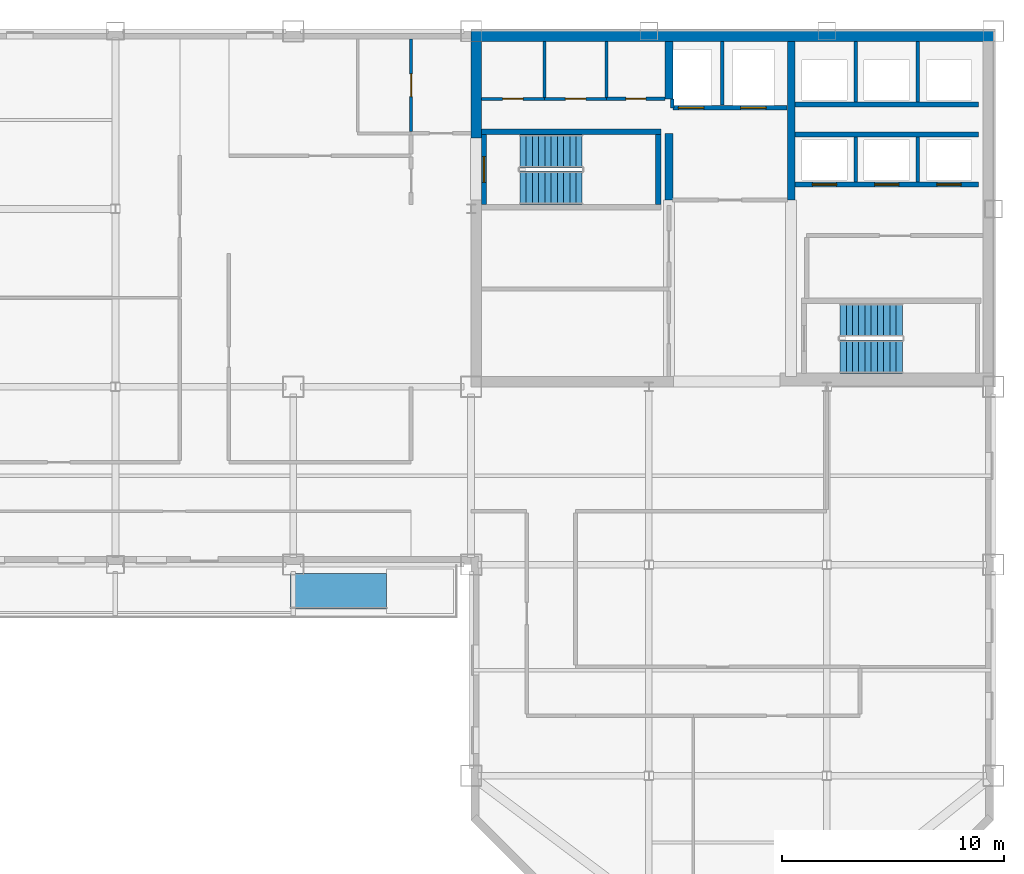
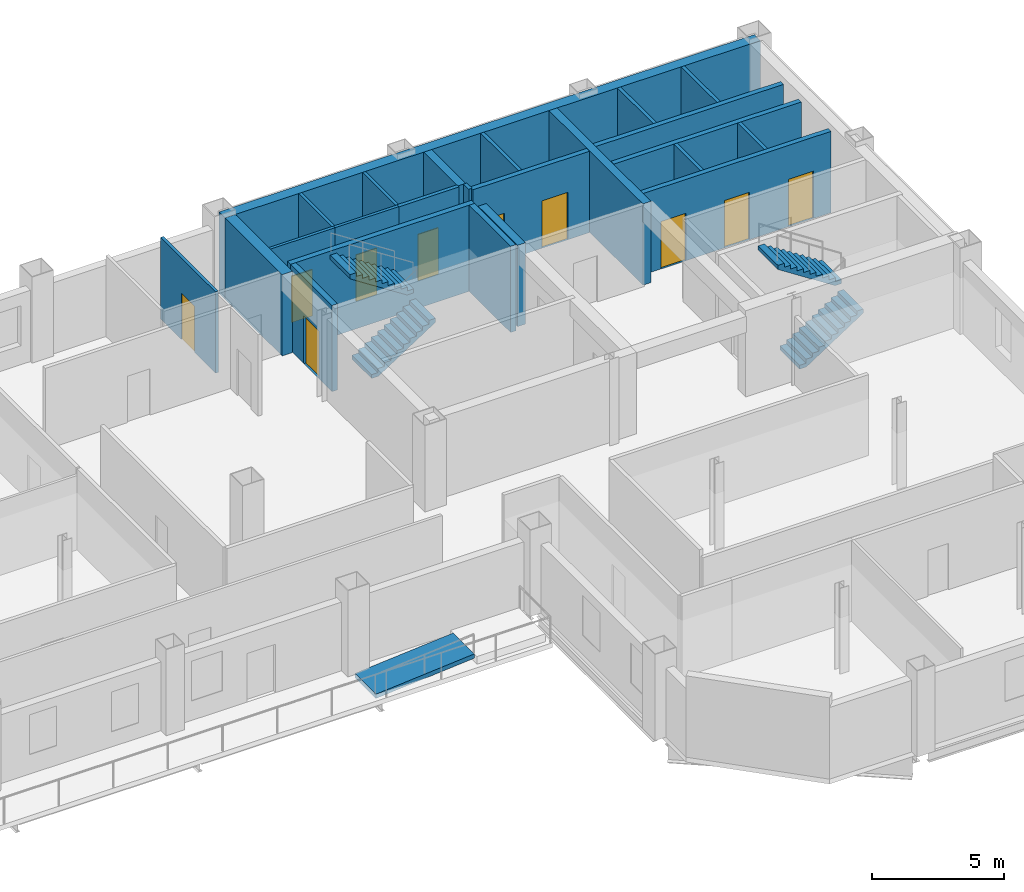
# One storey, part 6 of 10: 24 walls, 10 doors, 4 stair flights, 1 ramp flight, 10 openings, 3 elements without a shape of their own.
"""IFC4 building model written with IfcOpenShell, lengths in metres."""

from ifc_helpers import new_model, si_unit, direction, frame, frame_2d, origin, place, context, subcontext, project, spatial, polyline, rectangle, outline, extrude, material, layer, layer_set, type_object, element, fill, aggregate, save


model = new_model("IFC4")

# Units and contexts
model_context = context("Model", 3, precision=1e-05, world=origin(), true_north=direction((0.0, 1.0)))
body_context = subcontext(model_context, "Body", "Model", "MODEL_VIEW")
ifc_project = project(units=[si_unit("LENGTHUNIT", "METRE"), si_unit("AREAUNIT", "SQUARE_METRE"), si_unit("VOLUMEUNIT", "CUBIC_METRE"), si_unit("PLANEANGLEUNIT", "RADIAN"), si_unit("MASSUNIT", "GRAM", prefix="KILO")], contexts=[model_context])

# Site, building, storey
site_placement = place(None, origin())
site = spatial("IfcSite", under=ifc_project, at=site_placement, CompositionType="ELEMENT")
building_placement = place(site_placement, origin())
building = spatial("IfcBuilding", under=site, at=building_placement, Name="Qianrong Seaharbour Tower", CompositionType="ELEMENT")
storey_placement = place(building_placement, frame((0.0, 0.0, 237.800048828125)))
storey = spatial("IfcBuildingStorey", under=building, at=storey_placement, Name="L57", CompositionType="ELEMENT", Elevation=237.800048828125)

# Walls
ifc_material_1 = material(Name="Concrete C60/75", Category="concrete")
ifc_layer_1 = layer(ifc_material_1, 0.4599609375)
ifc_layer_set_1 = layer_set([ifc_layer_1], Name="Concrete C60/75")
wall_type_1 = type_object("IfcWallType", Name="WALL-CORE-460", PredefinedType="SHEAR", material=ifc_layer_set_1)
wall_1_placement = place(storey_placement, frame((40.5, 51.77001953125, 0.0), z_axis=(0.0, 0.0, 1.0), x_axis=(1.0, 0.0, 0.0)))
element("IfcWall", 1, at=wall_1_placement, inside=storey, type_object=wall_type_1, Name="L57 North Core Shear Wall", PredefinedType="SHEAR", context=body_context, shape_type="SweptSolid", body=[
    extrude(rectangle(XDim=23.5, YDim=0.4599609375, at=frame_2d((11.75, 0.0))), origin(), (0.0, 0.0, 1.0), 3.77490234375),
])
wall_2_placement = place(storey_placement, frame((40.72998046875, 47.199951171875, 0.0), z_axis=(0.0, 0.0, 1.0), x_axis=(0.0, 1.0, 0.0)))
element("IfcWall", 2, at=wall_2_placement, inside=storey, type_object=wall_type_1, Name="L57 West Core Shear Wall North", PredefinedType="SHEAR", context=body_context, shape_type="SweptSolid", body=[
    extrude(rectangle(XDim=4.340087890625, YDim=0.4599609375, at=frame_2d((2.169921875, 0.0))), origin(), (0.0, 0.0, 1.0), 3.77490234375),
])
ifc_material_2 = material(Name="Concrete C50/60", Category="concrete")
ifc_layer_2 = layer(ifc_material_2, 0.35009765625)
ifc_layer_set_2 = layer_set([ifc_layer_2], Name="Concrete C50/60")
wall_type_2 = type_object("IfcWallType", Name="WALL-CORE-INT-350", PredefinedType="SHEAR", material=ifc_layer_set_2)
wall_3_placement = place(storey_placement, frame((49.39990234375, 44.39990234375, 0.0), z_axis=(0.0, 0.0, 1.0), x_axis=(0.0, 1.0, 0.0)))
element("IfcWall", 3, at=wall_3_placement, inside=storey, type_object=wall_type_2, Name="L57 Internal Core Shear Wall IW1N1", PredefinedType="SHEAR", context=body_context, shape_type="SweptSolid", body=[
    extrude(rectangle(XDim=3.0, YDim=0.35009765625, at=frame_2d((1.5, 0.0))), origin(), (0.0, 0.0, 1.0), 3.77490234375),
])
wall_4_placement = place(storey_placement, frame((49.39990234375, 48.949951171875, 0.0), z_axis=(0.0, 0.0, 1.0), x_axis=(0.0, 1.0, 0.0)))
element("IfcWall", 4, at=wall_4_placement, inside=storey, type_object=wall_type_2, Name="L57 Internal Core Shear Wall IW1N2", PredefinedType="SHEAR", context=body_context, shape_type="SweptSolid", body=[
    extrude(rectangle(XDim=2.590087890625, YDim=0.35009765625, at=frame_2d((1.294921875, 0.0))), origin(), (0.0, 0.0, 1.0), 3.77490234375),
])
wall_5_placement = place(storey_placement, frame((54.89990234375, 44.39990234375, 0.0), z_axis=(0.0, 0.0, 1.0), x_axis=(0.0, 1.0, 0.0)))
element("IfcWall", 5, at=wall_5_placement, inside=storey, type_object=wall_type_2, Name="L57 Internal Core Shear Wall IW2N", PredefinedType="SHEAR", context=body_context, shape_type="SweptSolid", body=[
    extrude(rectangle(XDim=7.14013671875, YDim=0.35009765625, at=frame_2d((3.570068359375, 0.0))), origin(), (0.0, 0.0, 1.0), 3.77490234375),
])

# Wall, opening, door
ifc_material_3 = material(Name="Fire-rated acoustic gypsum board partition")
ifc_layer_3 = layer(ifc_material_3, 0.1650390625)
ifc_layer_set_3 = layer_set([ifc_layer_3], Name="Fire-rated acoustic gypsum board partition")
wall_type_3 = type_object("IfcWallType", Name="WALL-CORR-PART-165", PredefinedType="PARTITIONING", material=ifc_layer_set_3)
wall_6_placement = place(storey_placement, frame((46.60009765625, 48.949951171875, 0.0), z_axis=(0.0, 0.0, 1.0), x_axis=(1.0, 0.0, 0.0)))
wall_6 = element("IfcWall", 6, at=wall_6_placement, inside=storey, type_object=wall_type_3, Name="L57 Interior Partition Wall 009", PredefinedType="PARTITIONING", context=body_context, shape_type="SweptSolid", body=[
    extrude(rectangle(XDim=2.6328125, YDim=0.1650390625, at=frame_2d((1.31640625, 0.0))), origin(), (0.0, 0.0, 1.0), 3.77490234375),
])
opening_1_placement = place(wall_6_placement, frame((0.866455078125, 0.0, 0.0)))
opening_1 = element("IfcOpeningElement", 7, at=opening_1_placement, cuts=wall_6, Name="Opening DS-01", PredefinedType="OPENING", context=body_context, shape_type="SweptSolid", body=[
    extrude(rectangle(XDim=0.89990234375, YDim=2.14990234375, at=frame_2d((0.449951171875, 1.074951171875))), frame((0.0, 0.092529296875, 0.0), z_axis=(0.0, -1.0, 0.0), x_axis=(1.0, 0.0, 0.0)), (0.0, 0.0, 1.0), 0.18505859375),
])
ifc_material_4 = material(Name="Acoustic timber and galvanized steel fire door assembly", Category="steel")
door_type_1 = type_object("IfcDoorType", Name="DOOR-STORE-900x2150", OperationType="NOTDEFINED", PredefinedType="DOOR", material=ifc_material_4)
door_1_placement = place(opening_1_placement, origin())
door_1 = element("IfcDoor", 8, at=door_1_placement, inside=storey, type_object=door_type_1, Name="L57 Cleaner Store Room Door", OperationType="SINGLE_SWING_LEFT", OverallHeight=2.14990234375, OverallWidth=0.89990234375, PredefinedType="DOOR", context=body_context, shape_type="SweptSolid", body=[
    extrude(rectangle(XDim=0.89990234375, YDim=2.14990234375, at=frame_2d((0.449951171875, 1.074951171875))), frame((0.0, 0.02490234375, 0.0), z_axis=(0.0, -1.0, 0.0), x_axis=(1.0, 0.0, 0.0)), (0.0, 0.0, 1.0), 0.050048828125),
])
fill(opening_1, door_1)

# Walls
ifc_material_5 = material(Name="Fire-rated gypsum board on steel studs", Category="steel")
ifc_layer_4 = layer(ifc_material_5, 0.14990234375)
ifc_layer_set_4 = layer_set([ifc_layer_4], Name="Fire-rated gypsum board on steel studs")
wall_type_4 = type_object("IfcWallType", Name="WALL-SHAFT-DIV-150", PredefinedType="PARTITIONING", material=ifc_layer_set_4)
wall_7_placement = place(storey_placement, frame((51.800048828125, 48.669921875, 0.0), z_axis=(0.0, 0.0, 1.0), x_axis=(0.0, 1.0, 0.0)))
element("IfcWall", 9, at=wall_7_placement, inside=storey, type_object=wall_type_4, Name="L57 Firefighting Lift Shaft Divider Wall", PredefinedType="PARTITIONING", context=body_context, shape_type="SweptSolid", body=[
    extrude(rectangle(XDim=2.8701171875, YDim=0.14990234375, at=frame_2d((1.43505859375, 0.0))), origin(), (0.0, 0.0, 1.0), 3.77490234375),
])
wall_8_placement = place(storey_placement, frame((49.550048828125, 48.550048828125, 0.0), z_axis=(0.0, 0.0, 1.0), x_axis=(0.0, 1.0, 0.0)))
element("IfcWall", 10, at=wall_8_placement, inside=storey, type_object=wall_type_4, Name="L57 Firefighting Lift Shaft West Return Wall", PredefinedType="PARTITIONING", context=body_context, shape_type="SweptSolid", body=[
    extrude(rectangle(XDim=0.39990234375, YDim=0.14990234375, at=frame_2d((0.199951171875, 0.0))), origin(), (0.0, 0.0, 1.0), 3.77490234375),
])
for number, where, z_axis, x_axis, name in (
    (11, (57.800048828125, 45.2099609375, 0.0), (0.0, 0.0, 1.0), (0.0, 1.0, 0.0), "L57 P3 Lift Hoistway Divider 2"),
    (12, (60.60009765625, 45.2099609375, 0.0), (0.0, 0.0, 1.0), (0.0, 1.0, 0.0), "L57 P3 Lift Hoistway Divider 3"),
):
    element("IfcWall", number, at=place(storey_placement, frame(where, z_axis=z_axis, x_axis=x_axis)), inside=storey, type_object=wall_type_4, Name=name, PredefinedType="PARTITIONING", context=body_context, shape_type="SweptSolid", body=[
        extrude(rectangle(XDim=2.030029296875, YDim=0.14990234375, at=frame_2d((1.01513671875, 0.0))), origin(), (0.0, 0.0, 1.0), 3.77490234375),
    ])
for number, where, z_axis, x_axis, name in (
    (13, (57.800048828125, 48.81005859375, 0.0), (0.0, 0.0, 1.0), (0.0, 1.0, 0.0), "L57 P4 Lift Hoistway Divider 2"),
    (14, (60.60009765625, 48.81005859375, 0.0), (0.0, 0.0, 1.0), (0.0, 1.0, 0.0), "L57 P4 Lift Hoistway Divider 3"),
):
    element("IfcWall", number, at=place(storey_placement, frame(where, z_axis=z_axis, x_axis=x_axis)), inside=storey, type_object=wall_type_4, Name=name, PredefinedType="PARTITIONING", context=body_context, shape_type="SweptSolid", body=[
        extrude(rectangle(XDim=2.72998046875, YDim=0.14990234375, at=frame_2d((1.364990234375, 0.0))), origin(), (0.0, 0.0, 1.0), 3.77490234375),
    ])

# Wall, openings, doors
ifc_layer_5 = layer(ifc_material_5, 0.219970703125)
ifc_layer_set_5 = layer_set([ifc_layer_5], Name="Fire-rated gypsum board on steel studs")
wall_type_5 = type_object("IfcWallType", Name="WALL-SHAFT-GYP220", PredefinedType="PARTITIONING", material=ifc_layer_set_5)
wall_9_placement = place(storey_placement, frame((54.7099609375, 48.550048828125, 0.0), z_axis=(0.0, 0.0, 1.0), x_axis=(-1.0, 0.0, 0.0)))
wall_9 = element("IfcWall", 15, at=wall_9_placement, inside=storey, type_object=wall_type_5, Name="L57 Firefighting Lift Shaft Front Wall", PredefinedType="PARTITIONING", context=body_context, shape_type="SweptSolid", body=[
    extrude(rectangle(XDim=5.119873046875, YDim=0.219970703125, at=frame_2d((2.56005859375, 0.0))), origin(), (0.0, 0.0, 1.0), 3.77490234375),
])
opening_2_placement = place(wall_9_placement, frame((3.735107421875, 0.0, 0.0)))
opening_2 = element("IfcOpeningElement", 16, at=opening_2_placement, cuts=wall_9, Name="Opening LD-01", PredefinedType="OPENING", context=body_context, shape_type="SweptSolid", body=[
    extrude(rectangle(XDim=1.14990234375, YDim=2.199951171875, at=frame_2d((0.574951171875, 1.10009765625))), frame((0.0, 0.1201171875, 0.0), z_axis=(0.0, -1.0, 0.0), x_axis=(1.0, 0.0, 0.0)), (0.0, 0.0, 1.0), 0.239990234375),
])
opening_3_placement = place(wall_9_placement, frame((0.93505859375, 0.0, 0.0)))
opening_3 = element("IfcOpeningElement", 17, at=opening_3_placement, cuts=wall_9, Name="Opening LD-01", PredefinedType="OPENING", context=body_context, shape_type="SweptSolid", body=[
    extrude(rectangle(XDim=1.14990234375, YDim=2.199951171875, at=frame_2d((0.574951171875, 1.10009765625))), frame((0.0, 0.1201171875, 0.0), z_axis=(0.0, -1.0, 0.0), x_axis=(1.0, 0.0, 0.0)), (0.0, 0.0, 1.0), 0.239990234375),
])
ifc_material_6 = material(Name="Stainless steel SUS316L bi-parting lift landing door", Category="steel")
door_type_2 = type_object("IfcDoorType", Name="DOOR-LIFT-FF-1150x2200", OperationType="DOUBLE_DOOR_SLIDING", PredefinedType="DOOR", material=ifc_material_6)
door_2_placement = place(opening_2_placement, origin())
door_2 = element("IfcDoor", 18, at=door_2_placement, inside=storey, type_object=door_type_2, Name="L57 FL-1 Firefighting Lift Landing Door", OperationType="DOUBLE_DOOR_SLIDING", OverallHeight=2.199951171875, OverallWidth=1.14990234375, PredefinedType="DOOR", context=body_context, shape_type="SweptSolid", body=[
    extrude(rectangle(XDim=1.14990234375, YDim=2.199951171875, at=frame_2d((0.574951171875, 1.10009765625))), frame((0.0, 0.02490234375, 0.0), z_axis=(0.0, -1.0, 0.0), x_axis=(1.0, 0.0, 0.0)), (0.0, 0.0, 1.0), 0.050048828125),
])
fill(opening_2, door_2)
door_3_placement = place(opening_3_placement, origin())
door_3 = element("IfcDoor", 19, at=door_3_placement, inside=storey, type_object=door_type_2, Name="L57 FL-2 Firefighting Lift Landing Door", OperationType="DOUBLE_DOOR_SLIDING", OverallHeight=2.199951171875, OverallWidth=1.14990234375, PredefinedType="DOOR", context=body_context, shape_type="SweptSolid", body=[
    extrude(rectangle(XDim=1.14990234375, YDim=2.199951171875, at=frame_2d((0.574951171875, 1.10009765625))), frame((0.0, 0.02490234375, 0.0), z_axis=(0.0, -1.0, 0.0), x_axis=(1.0, 0.0, 0.0)), (0.0, 0.0, 1.0), 0.050048828125),
])
fill(opening_3, door_3)

wall_10_placement = place(storey_placement, frame((63.320068359375, 45.10009765625, 0.0), z_axis=(0.0, 0.0, 1.0), x_axis=(-1.0, 0.0, 0.0)))
wall_10 = element("IfcWall", 20, at=wall_10_placement, inside=storey, type_object=wall_type_5, Name="L57 P3 Lift Hoistway Front Wall", PredefinedType="PARTITIONING", context=body_context, shape_type="SweptSolid", body=[
    extrude(rectangle(XDim=8.239990234375, YDim=0.219970703125, at=frame_2d((4.1201171875, 0.0))), origin(), (0.0, 0.0, 1.0), 3.77490234375),
])
opening_4_placement = place(wall_10_placement, frame((6.3701171875, 0.0, 0.0)))
opening_4 = element("IfcOpeningElement", 21, at=opening_4_placement, cuts=wall_10, Name="Opening LD-02", PredefinedType="OPENING", context=body_context, shape_type="SweptSolid", body=[
    extrude(rectangle(XDim=1.10009765625, YDim=2.199951171875, at=frame_2d((0.550048828125, 1.10009765625))), frame((0.0, 0.1201171875, 0.0), z_axis=(0.0, -1.0, 0.0), x_axis=(1.0, 0.0, 0.0)), (0.0, 0.0, 1.0), 0.239990234375),
])
opening_5_placement = place(wall_10_placement, frame((3.570068359375, 0.0, 0.0)))
opening_5 = element("IfcOpeningElement", 22, at=opening_5_placement, cuts=wall_10, Name="Opening LD-02", PredefinedType="OPENING", context=body_context, shape_type="SweptSolid", body=[
    extrude(rectangle(XDim=1.10009765625, YDim=2.199951171875, at=frame_2d((0.550048828125, 1.10009765625))), frame((0.0, 0.1201171875, 0.0), z_axis=(0.0, -1.0, 0.0), x_axis=(1.0, 0.0, 0.0)), (0.0, 0.0, 1.0), 0.239990234375),
])
opening_6_placement = place(wall_10_placement, frame((0.77001953125, 0.0, 0.0)))
opening_6 = element("IfcOpeningElement", 23, at=opening_6_placement, cuts=wall_10, Name="Opening LD-02", PredefinedType="OPENING", context=body_context, shape_type="SweptSolid", body=[
    extrude(rectangle(XDim=1.10009765625, YDim=2.199951171875, at=frame_2d((0.550048828125, 1.10009765625))), frame((0.0, 0.1201171875, 0.0), z_axis=(0.0, -1.0, 0.0), x_axis=(1.0, 0.0, 0.0)), (0.0, 0.0, 1.0), 0.239990234375),
])
door_type_3 = type_object("IfcDoorType", Name="DOOR-LIFT-PASS-1100x2200", OperationType="DOUBLE_DOOR_SLIDING", PredefinedType="DOOR", material=ifc_material_6)
door_4_placement = place(opening_4_placement, origin())
door_4 = element("IfcDoor", 24, at=door_4_placement, inside=storey, type_object=door_type_3, Name="L57 PL-3A Lift Landing Door", OperationType="DOUBLE_DOOR_SLIDING", OverallHeight=2.199951171875, OverallWidth=1.10009765625, PredefinedType="DOOR", context=body_context, shape_type="SweptSolid", body=[
    extrude(rectangle(XDim=1.10009765625, YDim=2.199951171875, at=frame_2d((0.550048828125, 1.10009765625))), frame((0.0, 0.02490234375, 0.0), z_axis=(0.0, -1.0, 0.0), x_axis=(1.0, 0.0, 0.0)), (0.0, 0.0, 1.0), 0.050048828125),
])
fill(opening_4, door_4)
door_5_placement = place(opening_5_placement, origin())
door_5 = element("IfcDoor", 25, at=door_5_placement, inside=storey, type_object=door_type_3, Name="L57 PL-3B Lift Landing Door", OperationType="DOUBLE_DOOR_SLIDING", OverallHeight=2.199951171875, OverallWidth=1.10009765625, PredefinedType="DOOR", context=body_context, shape_type="SweptSolid", body=[
    extrude(rectangle(XDim=1.10009765625, YDim=2.199951171875, at=frame_2d((0.550048828125, 1.10009765625))), frame((0.0, 0.02490234375, 0.0), z_axis=(0.0, -1.0, 0.0), x_axis=(1.0, 0.0, 0.0)), (0.0, 0.0, 1.0), 0.050048828125),
])
fill(opening_5, door_5)
door_6_placement = place(opening_6_placement, origin())
door_6 = element("IfcDoor", 26, at=door_6_placement, inside=storey, type_object=door_type_3, Name="L57 PL-3C Lift Landing Door", OperationType="DOUBLE_DOOR_SLIDING", OverallHeight=2.199951171875, OverallWidth=1.10009765625, PredefinedType="DOOR", context=body_context, shape_type="SweptSolid", body=[
    extrude(rectangle(XDim=1.10009765625, YDim=2.199951171875, at=frame_2d((0.550048828125, 1.10009765625))), frame((0.0, 0.02490234375, 0.0), z_axis=(0.0, -1.0, 0.0), x_axis=(1.0, 0.0, 0.0)), (0.0, 0.0, 1.0), 0.050048828125),
])
fill(opening_6, door_6)

# Walls
for number, where, z_axis, x_axis, name in (
    (27, (55.080078125, 47.35009765625, 0.0), (0.0, 0.0, 1.0), (1.0, 0.0, 0.0), "L57 P3 Lift Hoistway Back Wall"),
    (28, (63.320068359375, 48.699951171875, 0.0), (0.0, 0.0, 1.0), (-1.0, 0.0, 0.0), "L57 P4 Lift Hoistway Front Wall"),
):
    element("IfcWall", number, at=place(storey_placement, frame(where, z_axis=z_axis, x_axis=x_axis)), inside=storey, type_object=wall_type_5, Name=name, PredefinedType="PARTITIONING", context=body_context, shape_type="SweptSolid", body=[
        extrude(rectangle(XDim=8.239990234375, YDim=0.219970703125, at=frame_2d((4.1201171875, 0.0))), origin(), (0.0, 0.0, 1.0), 3.77490234375),
    ])
ifc_layer_6 = layer(ifc_material_2, 0.239990234375)
ifc_layer_set_6 = layer_set([ifc_layer_6], Name="Concrete C50/60")
wall_type_6 = type_object("IfcWallType", Name="WALL-SHAFT-RC240", PredefinedType="SOLIDWALL", material=ifc_layer_set_6)
wall_11_placement = place(storey_placement, frame((40.9599609375, 47.469970703125, 0.0), z_axis=(0.0, 0.0, 1.0), x_axis=(1.0, 0.0, 0.0)))
element("IfcWall", 29, at=wall_11_placement, inside=storey, type_object=wall_type_6, Name="L57 ST-1 Structural Stair Core Wall N", PredefinedType="SOLIDWALL", context=body_context, shape_type="SweptSolid", body=[
    extrude(rectangle(XDim=8.080078125, YDim=0.239990234375, at=frame_2d((4.0400390625, 0.0))), origin(), (0.0, 0.0, 1.0), 4.0),
])

# Wall, opening, door
wall_12_placement = place(storey_placement, frame((41.080078125, 47.35009765625, 0.0), z_axis=(0.0, 0.0, 1.0), x_axis=(0.0, -1.0, 0.0)))
wall_12 = element("IfcWall", 30, at=wall_12_placement, inside=storey, type_object=wall_type_6, Name="L57 ST-1 Structural Stair Core Wall W", PredefinedType="SOLIDWALL", context=body_context, shape_type="SweptSolid", body=[
    extrude(rectangle(XDim=3.150146484375, YDim=0.239990234375, at=frame_2d((1.5751953125, 0.0))), origin(), (0.0, 0.0, 1.0), 4.0),
])
opening_7_placement = place(wall_12_placement, frame((1.0, 0.0, 0.0)))
opening_7 = element("IfcOpeningElement", 31, at=opening_7_placement, cuts=wall_12, Name="Opening SD-01", PredefinedType="OPENING", context=body_context, shape_type="SweptSolid", body=[
    extrude(rectangle(XDim=1.14990234375, YDim=2.199951171875, at=frame_2d((0.574951171875, 1.10009765625))), frame((0.0, 0.1298828125, 0.0), z_axis=(0.0, -1.0, 0.0), x_axis=(1.0, 0.0, 0.0)), (0.0, 0.0, 1.0), 0.260009765625),
])
door_type_4 = type_object("IfcDoorType", Name="DOOR-STAIR-FD60-1150x2200", OperationType="NOTDEFINED", PredefinedType="DOOR", material=ifc_material_4)
door_7_placement = place(opening_7_placement, origin())
door_7 = element("IfcDoor", 32, at=door_7_placement, inside=storey, type_object=door_type_4, Name="L57 ST-1 Protected Stair Door", OperationType="SINGLE_SWING_RIGHT", OverallHeight=2.199951171875, OverallWidth=1.14990234375, PredefinedType="DOOR", context=body_context, shape_type="SweptSolid", body=[
    extrude(rectangle(XDim=1.14990234375, YDim=2.199951171875, at=frame_2d((0.574951171875, 1.10009765625))), frame((0.0, 0.02490234375, 0.0), z_axis=(0.0, -1.0, 0.0), x_axis=(1.0, 0.0, 0.0)), (0.0, 0.0, 1.0), 0.050048828125),
])
fill(opening_7, door_7)

# Wall
wall_13_placement = place(storey_placement, frame((48.919921875, 44.199951171875, 0.0), z_axis=(0.0, 0.0, 1.0), x_axis=(0.0, 1.0, 0.0)))
element("IfcWall", 33, at=wall_13_placement, inside=storey, type_object=wall_type_6, Name="L57 ST-1 Structural Stair Core Wall E", PredefinedType="SOLIDWALL", context=body_context, shape_type="SweptSolid", body=[
    extrude(rectangle(XDim=3.150146484375, YDim=0.239990234375, at=frame_2d((1.5751953125, 0.0))), origin(), (0.0, 0.0, 1.0), 4.0),
])

# Wall, opening, door
ifc_material_7 = material(Name="Water-resistant cement board sanitary partition")
ifc_layer_7 = layer(ifc_material_7, 0.1298828125)
ifc_layer_set_7 = layer_set([ifc_layer_7], Name="Water-resistant cement board sanitary partition")
wall_type_7 = type_object("IfcWallType", Name="WALL-WET-PART-130", PredefinedType="PARTITIONING", material=ifc_layer_set_7)
wall_14_placement = place(storey_placement, frame((37.800048828125, 47.474609375, 0.0), z_axis=(0.0, 0.0, 1.0), x_axis=(0.0, 1.0, 0.0)))
wall_14 = element("IfcWall", 34, at=wall_14_placement, inside=storey, type_object=wall_type_7, Name="L57 Interior Partition Wall 004", PredefinedType="PARTITIONING", context=body_context, shape_type="SweptSolid", body=[
    extrude(rectangle(XDim=4.17333984375, YDim=0.1298828125, at=frame_2d((2.086669921875, 0.0))), origin(), (0.0, 0.0, 1.0), 3.77490234375),
])
opening_8_placement = place(wall_14_placement, frame((1.57666015625, 0.0, 0.0)))
opening_8 = element("IfcOpeningElement", 35, at=opening_8_placement, cuts=wall_14, Name="Opening DAW-01", PredefinedType="OPENING", context=body_context, shape_type="SweptSolid", body=[
    extrude(rectangle(XDim=1.02001953125, YDim=2.14990234375, at=frame_2d((0.510009765625, 1.074951171875))), frame((0.0, 0.074951171875, 0.0), z_axis=(0.0, -1.0, 0.0), x_axis=(1.0, 0.0, 0.0)), (0.0, 0.0, 1.0), 0.14990234375),
])
door_type_5 = type_object("IfcDoorType", Name="DOOR-AWC-SLIDE-1020x2150", OperationType="SLIDING_TO_LEFT", PredefinedType="DOOR", material=ifc_material_4)
door_8_placement = place(opening_8_placement, origin())
door_8 = element("IfcDoor", 36, at=door_8_placement, inside=storey, type_object=door_type_5, Name="L57 Accessible Restroom WC Door", OperationType="SLIDING_TO_LEFT", OverallHeight=2.14990234375, OverallWidth=1.02001953125, PredefinedType="DOOR", context=body_context, shape_type="SweptSolid", body=[
    extrude(rectangle(XDim=1.02001953125, YDim=2.14990234375, at=frame_2d((0.510009765625, 1.074951171875))), frame((0.0, 0.02490234375, 0.0), z_axis=(0.0, -1.0, 0.0), x_axis=(1.0, 0.0, 0.0)), (0.0, 0.0, 1.0), 0.050048828125),
])
fill(opening_8, door_8)

wall_15_placement = place(storey_placement, frame((40.9599609375, 48.949951171875, 0.0), z_axis=(0.0, 0.0, 1.0), x_axis=(1.0, 0.0, 0.0)))
wall_15 = element("IfcWall", 37, at=wall_15_placement, inside=storey, type_object=wall_type_7, Name="L57 Interior Partition Wall 007", PredefinedType="PARTITIONING", context=body_context, shape_type="SweptSolid", body=[
    extrude(rectangle(XDim=2.840087890625, YDim=0.1298828125, at=frame_2d((1.419921875, 0.0))), origin(), (0.0, 0.0, 1.0), 3.77490234375),
])
opening_9_placement = place(wall_15_placement, frame((0.9599609375, 0.0, 0.0)))
opening_9 = element("IfcOpeningElement", 38, at=opening_9_placement, cuts=wall_15, Name="Opening DW-01", PredefinedType="OPENING", context=body_context, shape_type="SweptSolid", body=[
    extrude(rectangle(XDim=0.919921875, YDim=2.14990234375, at=frame_2d((0.4599609375, 1.074951171875))), frame((0.0, 0.074951171875, 0.0), z_axis=(0.0, -1.0, 0.0), x_axis=(1.0, 0.0, 0.0)), (0.0, 0.0, 1.0), 0.14990234375),
])
door_type_6 = type_object("IfcDoorType", Name="DOOR-WC-920x2150", OperationType="NOTDEFINED", PredefinedType="DOOR", material=ifc_material_4)
door_9_placement = place(opening_9_placement, origin())
door_9 = element("IfcDoor", 39, at=door_9_placement, inside=storey, type_object=door_type_6, Name="L57 Male Restroom WC Door", OperationType="SINGLE_SWING_LEFT", OverallHeight=2.14990234375, OverallWidth=0.919921875, PredefinedType="DOOR", context=body_context, shape_type="SweptSolid", body=[
    extrude(rectangle(XDim=0.919921875, YDim=2.14990234375, at=frame_2d((0.4599609375, 1.074951171875))), frame((0.0, 0.02490234375, 0.0), z_axis=(0.0, -1.0, 0.0), x_axis=(1.0, 0.0, 0.0)), (0.0, 0.0, 1.0), 0.050048828125),
])
fill(opening_9, door_9)

wall_16_placement = place(storey_placement, frame((43.800048828125, 48.949951171875, 0.0), z_axis=(0.0, 0.0, 1.0), x_axis=(1.0, 0.0, 0.0)))
wall_16 = element("IfcWall", 40, at=wall_16_placement, inside=storey, type_object=wall_type_7, Name="L57 Interior Partition Wall 008", PredefinedType="PARTITIONING", context=body_context, shape_type="SweptSolid", body=[
    extrude(rectangle(XDim=2.800048828125, YDim=0.1298828125, at=frame_2d((1.39990234375, 0.0))), origin(), (0.0, 0.0, 1.0), 3.77490234375),
])
opening_10_placement = place(wall_16_placement, frame((0.93994140625, 0.0, 0.0)))
opening_10 = element("IfcOpeningElement", 41, at=opening_10_placement, cuts=wall_16, Name="Opening DW-01", PredefinedType="OPENING", context=body_context, shape_type="SweptSolid", body=[
    extrude(rectangle(XDim=0.919921875, YDim=2.14990234375, at=frame_2d((0.4599609375, 1.074951171875))), frame((0.0, 0.074951171875, 0.0), z_axis=(0.0, -1.0, 0.0), x_axis=(1.0, 0.0, 0.0)), (0.0, 0.0, 1.0), 0.14990234375),
])
door_10_placement = place(opening_10_placement, origin())
door_10 = element("IfcDoor", 42, at=door_10_placement, inside=storey, type_object=door_type_6, Name="L57 Female Restroom WC Door", OperationType="SINGLE_SWING_RIGHT", OverallHeight=2.14990234375, OverallWidth=0.919921875, PredefinedType="DOOR", context=body_context, shape_type="SweptSolid", body=[
    extrude(rectangle(XDim=0.919921875, YDim=2.14990234375, at=frame_2d((0.4599609375, 1.074951171875))), frame((0.0, 0.02490234375, 0.0), z_axis=(0.0, -1.0, 0.0), x_axis=(1.0, 0.0, 0.0)), (0.0, 0.0, 1.0), 0.050048828125),
])
fill(opening_10, door_10)

# Walls
wall_17_placement = place(storey_placement, frame((43.800048828125, 51.5400390625, 0.0), z_axis=(0.0, 0.0, 1.0), x_axis=(0.0, -1.0, 0.0)))
element("IfcWall", 43, at=wall_17_placement, inside=storey, type_object=wall_type_7, Name="L57 Interior Partition Wall 016", PredefinedType="PARTITIONING", context=body_context, shape_type="SweptSolid", body=[
    extrude(rectangle(XDim=2.532958984375, YDim=0.1298828125, at=frame_2d((1.2666015625, 0.0))), origin(), (0.0, 0.0, 1.0), 3.77490234375),
])
wall_18_placement = place(storey_placement, frame((46.60009765625, 51.5400390625, 0.0), z_axis=(0.0, 0.0, 1.0), x_axis=(0.0, -1.0, 0.0)))
element("IfcWall", 44, at=wall_18_placement, inside=storey, type_object=wall_type_7, Name="L57 Interior Partition Wall 017", PredefinedType="PARTITIONING", context=body_context, shape_type="SweptSolid", body=[
    extrude(rectangle(XDim=2.515625, YDim=0.1298828125, at=frame_2d((1.2578125, 0.0))), origin(), (0.0, 0.0, 1.0), 3.77490234375),
])

# Stair, stair flights
stair_type = type_object("IfcStairType", Name="STAIR-DOGLEG-1500-R22", PredefinedType="HALF_TURN_STAIR", material=ifc_material_2)
stair_1_placement = place(storey_placement, origin())
stair_1 = element("IfcStair", 45, at=stair_1_placement, inside=storey, type_object=stair_type, Name="L57 Protected Escape Stair ST-1", PredefinedType="HALF_TURN_STAIR")
stair_flight_type = type_object("IfcStairFlightType", Name="FLIGHT-STR-1500-R22", PredefinedType="STRAIGHT", material=ifc_material_2)
stair_flight_1_placement = place(storey_placement, frame((42.699951171875, 44.949951171875, 0.0), z_axis=(0.0, 0.0, 1.0), x_axis=(1.0, 0.0, 0.0)))
stair_flight_1 = element("IfcStairFlight", 46, at=stair_flight_1_placement, type_object=stair_flight_type, Name="ST-1 flight 1", NumberOfRisers=11, NumberOfTreads=10, PredefinedType="STRAIGHT", RiserHeight=0.181818182, TreadLength=0.28, context=body_context, shape_type="SweptSolid", body=[
    extrude(outline(polyline([(0.0, 0.0), (0.0, 0.181884765625), (0.280029296875, 0.181884765625), (0.280029296875, 0.363525390625), (0.56005859375, 0.363525390625), (0.56005859375, 0.54541015625), (0.840087890625, 0.54541015625), (0.840087890625, 0.727294921875), (1.1201171875, 0.727294921875), (1.1201171875, 0.9091796875), (1.39990234375, 0.9091796875), (1.39990234375, 1.0908203125), (1.679931640625, 1.0908203125), (1.679931640625, 1.272705078125), (1.9599609375, 1.272705078125), (1.9599609375, 1.45458984375), (2.239990234375, 1.45458984375), (2.239990234375, 1.636474609375), (2.52001953125, 1.636474609375), (2.52001953125, 1.818115234375), (2.800048828125, 1.818115234375), (2.800048828125, 2.0), (2.800048828125, 1.62744140625), (0.293701171875, 0.0), (0.0, 0.0)])), frame((0.0, 0.75, 0.0), z_axis=(0.0, -1.0, 0.0), x_axis=(1.0, 0.0, 0.0)), (0.0, 0.0, 1.0), 1.5),
])
stair_flight_2_placement = place(storey_placement, frame((45.5, 46.60009765625, 2.0), z_axis=(0.0, 0.0, 1.0), x_axis=(-1.0, 0.0, 0.0)))
stair_flight_2 = element("IfcStairFlight", 47, at=stair_flight_2_placement, type_object=stair_flight_type, Name="ST-1 flight 2", NumberOfRisers=11, NumberOfTreads=10, PredefinedType="STRAIGHT", RiserHeight=0.181818182, TreadLength=0.28, context=body_context, shape_type="SweptSolid", body=[
    extrude(outline(polyline([(0.0, 0.0), (0.0, 0.181884765625), (0.280029296875, 0.181884765625), (0.280029296875, 0.363525390625), (0.56005859375, 0.363525390625), (0.56005859375, 0.54541015625), (0.840087890625, 0.54541015625), (0.840087890625, 0.727294921875), (1.1201171875, 0.727294921875), (1.1201171875, 0.9091796875), (1.39990234375, 0.9091796875), (1.39990234375, 1.0908203125), (1.679931640625, 1.0908203125), (1.679931640625, 1.272705078125), (1.9599609375, 1.272705078125), (1.9599609375, 1.45458984375), (2.239990234375, 1.45458984375), (2.239990234375, 1.636474609375), (2.52001953125, 1.636474609375), (2.52001953125, 1.818115234375), (2.800048828125, 1.818115234375), (2.800048828125, 2.0), (2.800048828125, 1.62744140625), (0.293701171875, 0.0), (0.0, 0.0)])), frame((0.0, 0.75, 0.0), z_axis=(0.0, -1.0, 0.0), x_axis=(1.0, 0.0, 0.0)), (0.0, 0.0, 1.0), 1.5),
])
aggregate(stair_1, [stair_flight_1, stair_flight_2])

stair_2_placement = place(storey_placement, origin())
stair_2 = element("IfcStair", 48, at=stair_2_placement, inside=storey, type_object=stair_type, Name="L57 Protected Escape Stair ST-2", PredefinedType="HALF_TURN_STAIR")
stair_flight_3_placement = place(storey_placement, frame((57.10009765625, 37.35009765625, 0.0), z_axis=(0.0, 0.0, 1.0), x_axis=(1.0, 0.0, 0.0)))
stair_flight_3 = element("IfcStairFlight", 49, at=stair_flight_3_placement, type_object=stair_flight_type, Name="ST-2 flight 1", NumberOfRisers=11, NumberOfTreads=10, PredefinedType="STRAIGHT", RiserHeight=0.181818182, TreadLength=0.28, context=body_context, shape_type="SweptSolid", body=[
    extrude(outline(polyline([(0.0, 0.0), (0.0, 0.181884765625), (0.280029296875, 0.181884765625), (0.280029296875, 0.363525390625), (0.56005859375, 0.363525390625), (0.56005859375, 0.54541015625), (0.840087890625, 0.54541015625), (0.840087890625, 0.727294921875), (1.1201171875, 0.727294921875), (1.1201171875, 0.9091796875), (1.39990234375, 0.9091796875), (1.39990234375, 1.0908203125), (1.679931640625, 1.0908203125), (1.679931640625, 1.272705078125), (1.9599609375, 1.272705078125), (1.9599609375, 1.45458984375), (2.239990234375, 1.45458984375), (2.239990234375, 1.636474609375), (2.52001953125, 1.636474609375), (2.52001953125, 1.818115234375), (2.800048828125, 1.818115234375), (2.800048828125, 2.0), (2.800048828125, 1.62744140625), (0.293701171875, 0.0), (0.0, 0.0)])), frame((0.0, 0.75, 0.0), z_axis=(0.0, -1.0, 0.0), x_axis=(1.0, 0.0, 0.0)), (0.0, 0.0, 1.0), 1.5),
])
stair_flight_4_placement = place(storey_placement, frame((59.89990234375, 39.0, 2.0), z_axis=(0.0, 0.0, 1.0), x_axis=(-1.0, 0.0, 0.0)))
stair_flight_4 = element("IfcStairFlight", 50, at=stair_flight_4_placement, type_object=stair_flight_type, Name="ST-2 flight 2", NumberOfRisers=11, NumberOfTreads=10, PredefinedType="STRAIGHT", RiserHeight=0.181818182, TreadLength=0.28, context=body_context, shape_type="SweptSolid", body=[
    extrude(outline(polyline([(0.0, 0.0), (0.0, 0.181884765625), (0.280029296875, 0.181884765625), (0.280029296875, 0.363525390625), (0.56005859375, 0.363525390625), (0.56005859375, 0.54541015625), (0.840087890625, 0.54541015625), (0.840087890625, 0.727294921875), (1.1201171875, 0.727294921875), (1.1201171875, 0.9091796875), (1.39990234375, 0.9091796875), (1.39990234375, 1.0908203125), (1.679931640625, 1.0908203125), (1.679931640625, 1.272705078125), (1.9599609375, 1.272705078125), (1.9599609375, 1.45458984375), (2.239990234375, 1.45458984375), (2.239990234375, 1.636474609375), (2.52001953125, 1.636474609375), (2.52001953125, 1.818115234375), (2.800048828125, 1.818115234375), (2.800048828125, 2.0), (2.800048828125, 1.62744140625), (0.293701171875, 0.0), (0.0, 0.0)])), frame((0.0, 0.75, 0.0), z_axis=(0.0, -1.0, 0.0), x_axis=(1.0, 0.0, 0.0)), (0.0, 0.0, 1.0), 1.5),
])
aggregate(stair_2, [stair_flight_3, stair_flight_4])

# Ramp, ramp flight
ifc_material_8 = material(Name="White architectural precast concrete C45/55", Category="concrete")
ramp_type = type_object("IfcRampType", Name="RAMP-RIBBON-GARDEN", PredefinedType="STRAIGHT_RUN_RAMP", material=ifc_material_8)
ramp_placement = place(storey_placement, origin())
ramp = element("IfcRamp", 51, at=ramp_placement, inside=storey, type_object=ramp_type, Name="L57 Harbourfront Garden Ribbon Ramp", PredefinedType="STRAIGHT_RUN_RAMP")
ifc_layer_8 = layer(ifc_material_8, 0.199951171875)
ifc_layer_set_8 = layer_set([ifc_layer_8], Name="White architectural precast concrete C45/55")
ramp_flight_type = type_object("IfcRampFlightType", Name="RAMP-FLIGHT-GARDEN-200", PredefinedType="STRAIGHT", material=ifc_layer_set_8)
ramp_flight_placement = place(storey_placement, frame((32.3798828125, 26.800048828125, 0.0), z_axis=(0.0, 0.0, 1.0), x_axis=(1.0, 0.0, 0.0)))
ramp_flight = element("IfcRampFlight", 52, at=ramp_flight_placement, type_object=ramp_flight_type, Name="L57 Harbourfront Garden Ribbon Ramp Flight", PredefinedType="STRAIGHT", context=body_context, shape_type="SweptSolid", body=[
    extrude(outline(polyline([(0.0, 0.0), (4.320068359375, 0.360107421875), (4.320068359375, 0.16015625), (0.0, -0.199951171875), (0.0, 0.0)])), frame((0.0, 0.800048828125, 0.0), z_axis=(0.0, -1.0, 0.0), x_axis=(1.0, 0.0, 0.0)), (0.0, 0.0, 1.0), 1.60009765625),
])
aggregate(ramp, [ramp_flight])

save(model, "model.ifc")
